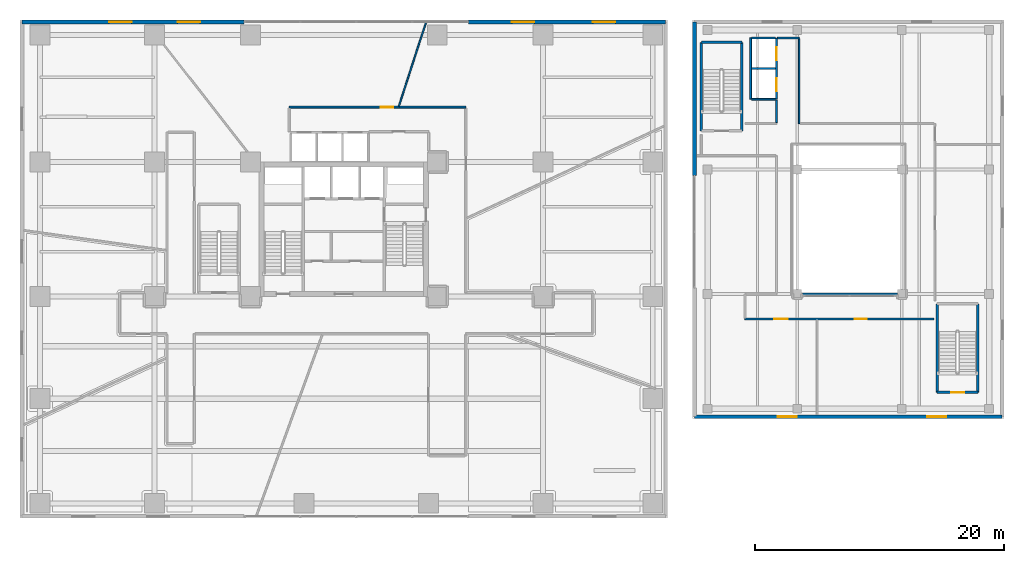
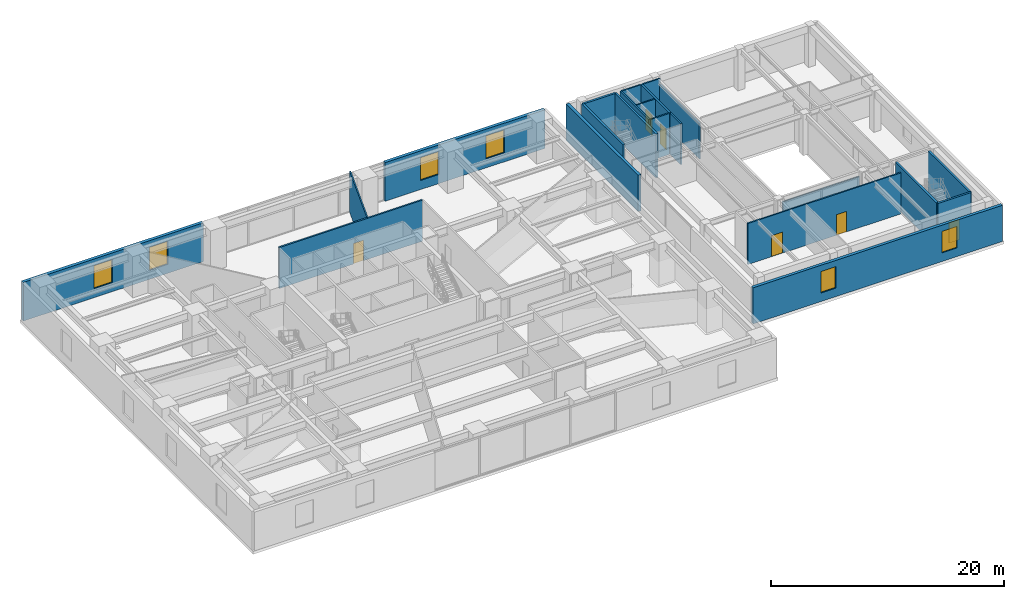
# One storey, part 20 of 25: 22 walls, 6 doors, 6 windows, 12 openings.
"""IFC4 building model written with IfcOpenShell, lengths in metres."""

from ifc_helpers import new_model, si_unit, direction, frame, frame_2d, origin, place, context, subcontext, project, spatial, rectangle, extrude, source, transform, mapped, material, layer, layer_set, type_object, type_shapes, element, fill, save


model = new_model("IFC4")

# Units and contexts
model_context = context("Model", 3, precision=1e-05, world=origin(), true_north=direction((0.0, 1.0)))
body_context = subcontext(model_context, "Body", "Model", "MODEL_VIEW")
ifc_project = project(units=[si_unit("LENGTHUNIT", "METRE"), si_unit("AREAUNIT", "SQUARE_METRE"), si_unit("VOLUMEUNIT", "CUBIC_METRE"), si_unit("PLANEANGLEUNIT", "RADIAN"), si_unit("MASSUNIT", "GRAM", prefix="KILO")], contexts=[model_context])

# Site, building, storey
site_placement = place(None, origin())
site = spatial("IfcSite", under=ifc_project, at=site_placement, CompositionType="ELEMENT")
building_placement = place(site_placement, origin())
building = spatial("IfcBuilding", under=site, at=building_placement, Name="Talar Marvaseh", CompositionType="ELEMENT")
storey_placement = place(building_placement, frame((0.0, 0.0, 5.199951171875)))
storey = spatial("IfcBuildingStorey", under=building, at=storey_placement, Name="L01", CompositionType="ELEMENT", Elevation=5.199951171875)

# Wall, openings, windows
ifc_material_1 = material(Name="Precast concrete C45/55", Category="concrete")
ifc_layer_1 = layer(ifc_material_1, 0.31005859375)
ifc_layer_set_1 = layer_set([ifc_layer_1], Name="Precast concrete C45/55")
wall_type_1 = type_object("IfcWallType", Name="Architectural Precast Limestone Podium Facade Wall 310", PredefinedType="SOLIDWALL", material=ifc_layer_set_1)
wall_1_placement = place(storey_placement, frame((0.159912109375, 47.840087890625, 0.0), z_axis=(0.0, 0.0, 1.0), x_axis=(1.0, 0.0, 0.0)))
wall_1 = element("IfcWall", 1, at=wall_1_placement, inside=storey, type_object=wall_type_1, Name="L01 Podium North-West Facade Wall", PredefinedType="SOLIDWALL", context=body_context, shape_type="SweptSolid", body=[
    extrude(rectangle(XDim=17.840087890625, YDim=0.31005859375, at=frame_2d((8.919921875, 0.0))), origin(), (0.0, 0.0, 1.0), 4.050048828125),
])
opening_1_placement = place(wall_1_placement, frame((7.0, 0.0, 0.949951171875)))
opening_1 = element("IfcOpeningElement", 2, at=opening_1_placement, cuts=wall_1, Name="Opening WN-POD18", PredefinedType="OPENING", context=body_context, shape_type="SweptSolid", body=[
    extrude(rectangle(XDim=1.800048828125, YDim=2.39990234375, at=frame_2d((0.89990234375, 1.199951171875))), frame((0.0, 0.1650390625, 0.0), z_axis=(0.0, -1.0, 0.0), x_axis=(1.0, 0.0, 0.0)), (0.0, 0.0, 1.0), 0.330078125),
])
opening_2_placement = place(wall_1_placement, frame((12.5, 0.0, 0.949951171875)))
opening_2 = element("IfcOpeningElement", 3, at=opening_2_placement, cuts=wall_1, Name="Opening WN-POD18", PredefinedType="OPENING", context=body_context, shape_type="SweptSolid", body=[
    extrude(rectangle(XDim=1.800048828125, YDim=2.39990234375, at=frame_2d((0.89990234375, 1.199951171875))), frame((0.0, 0.1650390625, 0.0), z_axis=(0.0, -1.0, 0.0), x_axis=(1.0, 0.0, 0.0)), (0.0, 0.0, 1.0), 0.330078125),
])
ifc_material_2 = material(Name="Laminated Low-E Solar Glass", Category="glass")
window_type_1 = type_object("IfcWindowType", Name="Podium Recessed Punched Solar Window 1800x2400", PartitioningType="SINGLE_PANEL", PredefinedType="WINDOW", material=ifc_material_2)
shared_shape_1 = source(origin(), body_context, "Body", "SweptSolid", [
    extrude(rectangle(XDim=1.800048828125, YDim=2.39990234375, at=frame_2d((0.89990234375, 1.199951171875))), frame((0.0, 0.030029296875, 0.0), z_axis=(0.0, -1.0, 0.0), x_axis=(1.0, 0.0, 0.0)), (0.0, 0.0, 1.0), 0.06005859375),
])
type_shapes(window_type_1, [shared_shape_1])
window_1_placement = place(opening_1_placement, origin())
window_1 = element("IfcWindow", 4, at=window_1_placement, inside=storey, type_object=window_type_1, Name="L01 Podium Solar Window", OverallHeight=2.39990234375, OverallWidth=1.800048828125, PartitioningType="SINGLE_PANEL", PredefinedType="WINDOW", context=body_context, shape_type="MappedRepresentation", body=[
    mapped(shared_shape_1, transform((0.0, 0.0, 0.0), x_axis=(1.0, 0.0, 0.0), y_axis=(0.0, 1.0, 0.0), z_axis=(0.0, 0.0, 1.0), scale=1.0)),
])
fill(opening_1, window_1)
window_2_placement = place(opening_2_placement, origin())
window_2 = element("IfcWindow", 5, at=window_2_placement, inside=storey, type_object=window_type_1, Name="L01 Podium Solar Window", OverallHeight=2.39990234375, OverallWidth=1.800048828125, PartitioningType="SINGLE_PANEL", PredefinedType="WINDOW", context=body_context, shape_type="MappedRepresentation", body=[
    mapped(shared_shape_1, transform((0.0, 0.0, 0.0), x_axis=(1.0, 0.0, 0.0), y_axis=(0.0, 1.0, 0.0), z_axis=(0.0, 0.0, 1.0), scale=1.0)),
])
fill(opening_2, window_2)

wall_2_placement = place(storey_placement, frame((36.0, 47.840087890625, 0.0), z_axis=(0.0, 0.0, 1.0), x_axis=(1.0, 0.0, 0.0)))
wall_2 = element("IfcWall", 6, at=wall_2_placement, inside=storey, type_object=wall_type_1, Name="L01 Podium North-East Facade Wall", PredefinedType="SOLIDWALL", context=body_context, shape_type="SweptSolid", body=[
    extrude(rectangle(XDim=15.840087890625, YDim=0.31005859375, at=frame_2d((7.919921875, 0.0))), origin(), (0.0, 0.0, 1.0), 4.050048828125),
])
opening_3_placement = place(wall_2_placement, frame((3.5, 0.0, 0.949951171875)))
opening_3 = element("IfcOpeningElement", 7, at=opening_3_placement, cuts=wall_2, Name="Opening WN-POD18", PredefinedType="OPENING", context=body_context, shape_type="SweptSolid", body=[
    extrude(rectangle(XDim=1.800048828125, YDim=2.39990234375, at=frame_2d((0.89990234375, 1.199951171875))), frame((0.0, 0.1650390625, 0.0), z_axis=(0.0, -1.0, 0.0), x_axis=(1.0, 0.0, 0.0)), (0.0, 0.0, 1.0), 0.330078125),
])
opening_4_placement = place(wall_2_placement, frame((10.0, 0.0, 0.949951171875)))
opening_4 = element("IfcOpeningElement", 8, at=opening_4_placement, cuts=wall_2, Name="Opening WN-POD18", PredefinedType="OPENING", context=body_context, shape_type="SweptSolid", body=[
    extrude(rectangle(XDim=1.800048828125, YDim=2.39990234375, at=frame_2d((0.89990234375, 1.199951171875))), frame((0.0, 0.1650390625, 0.0), z_axis=(0.0, -1.0, 0.0), x_axis=(1.0, 0.0, 0.0)), (0.0, 0.0, 1.0), 0.330078125),
])
window_3_placement = place(opening_3_placement, origin())
window_3 = element("IfcWindow", 9, at=window_3_placement, inside=storey, type_object=window_type_1, Name="L01 Podium Solar Window", OverallHeight=2.39990234375, OverallWidth=1.800048828125, PartitioningType="SINGLE_PANEL", PredefinedType="WINDOW", context=body_context, shape_type="MappedRepresentation", body=[
    mapped(shared_shape_1, transform((0.0, 0.0, 0.0), x_axis=(1.0, 0.0, 0.0), y_axis=(0.0, 1.0, 0.0), z_axis=(0.0, 0.0, 1.0), scale=1.0)),
])
fill(opening_3, window_3)
window_4_placement = place(opening_4_placement, origin())
window_4 = element("IfcWindow", 10, at=window_4_placement, inside=storey, type_object=window_type_1, Name="L01 Podium Solar Window", OverallHeight=2.39990234375, OverallWidth=1.800048828125, PartitioningType="SINGLE_PANEL", PredefinedType="WINDOW", context=body_context, shape_type="MappedRepresentation", body=[
    mapped(shared_shape_1, transform((0.0, 0.0, 0.0), x_axis=(1.0, 0.0, 0.0), y_axis=(0.0, 1.0, 0.0), z_axis=(0.0, 0.0, 1.0), scale=1.0)),
])
fill(opening_4, window_4)

# Wall, opening, door
ifc_material_3 = material(Name="Gypsum Board Partition Assembly")
ifc_layer_2 = layer(ifc_material_3, 0.155029296875)
ifc_layer_set_2 = layer_set([ifc_layer_2], Name="Gypsum Board Partition Assembly")
wall_type_2 = type_object("IfcWallType", Name="Corridor Fire-Rated Acoustic Partition 155", PredefinedType="PARTITIONING", material=ifc_layer_set_2)
wall_3_placement = place(storey_placement, frame((21.60009765625, 41.0, 0.0), z_axis=(0.0, 0.0, 1.0), x_axis=(1.0, 0.0, 0.0)))
wall_3 = element("IfcWall", 11, at=wall_3_placement, inside=storey, type_object=wall_type_2, Name="L01 Interior Partition Wall", PredefinedType="PARTITIONING", context=body_context, shape_type="SweptSolid", body=[
    extrude(rectangle(XDim=14.199951171875, YDim=0.155029296875, at=frame_2d((7.10009765625, 0.0))), origin(), (0.0, 0.0, 1.0), 4.300048828125),
])
opening_5_placement = place(wall_3_placement, frame((7.361572265625, 0.0, 0.0)))
opening_5 = element("IfcOpeningElement", 12, at=opening_5_placement, cuts=wall_3, Name="Opening DR-RM100", PredefinedType="OPENING", context=body_context, shape_type="SweptSolid", body=[
    extrude(rectangle(XDim=1.0, YDim=2.14990234375, at=frame_2d((0.5, 1.074951171875))), frame((0.0, 0.08740234375, 0.0), z_axis=(0.0, -1.0, 0.0), x_axis=(1.0, 0.0, 0.0)), (0.0, 0.0, 1.0), 0.175048828125),
])
ifc_material_4 = material(Name="Acoustic Engineered Oak Timber", Category="wood")
door_type_1 = type_object("IfcDoorType", Name="Corridor Fire-Rated Gallery Door 1000x2150", OperationType="NOTDEFINED", PredefinedType="DOOR", material=ifc_material_4)
shared_shape_2 = source(origin(), body_context, "Body", "SweptSolid", [
    extrude(rectangle(XDim=1.0, YDim=2.14990234375, at=frame_2d((0.5, 1.074951171875))), frame((0.0, 0.02490234375, 0.0), z_axis=(0.0, -1.0, 0.0), x_axis=(1.0, 0.0, 0.0)), (0.0, 0.0, 1.0), 0.050048828125),
])
type_shapes(door_type_1, [shared_shape_2])
door_1_placement = place(opening_5_placement, origin())
door_1 = element("IfcDoor", 13, at=door_1_placement, inside=storey, type_object=door_type_1, Name="L01 Education Workshop Studio Door", OperationType="SINGLE_SWING_RIGHT", OverallHeight=2.14990234375, OverallWidth=1.0, PredefinedType="DOOR", context=body_context, shape_type="MappedRepresentation", body=[
    mapped(shared_shape_2, transform((0.0, 0.0, 0.0), x_axis=(1.0, 0.0, 0.0), y_axis=(0.0, 1.0, 0.0), z_axis=(0.0, 0.0, 1.0), scale=1.0)),
])
fill(opening_5, door_1)

# Walls
ifc_layer_3 = layer(ifc_material_3, 0.1201171875)
ifc_layer_set_3 = layer_set([ifc_layer_3], Name="Gypsum Board Partition Assembly")
wall_type_3 = type_object("IfcWallType", Name="Demountable Studio Room Partition 120", PredefinedType="PARTITIONING", material=ifc_layer_set_3)
wall_4_placement = place(storey_placement, frame((30.41015625, 41.061767578125, 0.0), z_axis=(0.0, 0.0, 1.0), x_axis=(0.308512265312, 0.951220364664, 0.0)))
element("IfcWall", 14, at=wall_4_placement, inside=storey, type_object=wall_type_3, Name="L01 Interior Partition Wall", PredefinedType="PARTITIONING", context=body_context, shape_type="SweptSolid", body=[
    extrude(rectangle(XDim=7.100830078125, YDim=0.1201171875, at=frame_2d((3.55029296875, 0.0))), origin(), (0.0, 0.0, 1.0), 4.300048828125),
])
ifc_layer_4 = layer(ifc_material_1, 0.14501953125)
ifc_layer_set_4 = layer_set([ifc_layer_4], Name="Precast concrete C45/55")
wall_type_4 = type_object("IfcWallType", Name="Fire-Rated Lift Divider Wall 145", PredefinedType="SOLIDWALL", material=ifc_layer_set_4)
wall_5_placement = place(storey_placement, frame((58.659912109375, 41.639892578125, 0.0), z_axis=(0.0, 0.0, 1.0), x_axis=(0.0, 1.0, 0.0)))
element("IfcWall", 15, at=wall_5_placement, inside=storey, type_object=wall_type_4, Name="L01 Market Lift Back Wall", PredefinedType="SOLIDWALL", context=body_context, shape_type="SweptSolid", body=[
    extrude(rectangle(XDim=4.920166015625, YDim=0.14501953125, at=frame_2d((2.4599609375, 0.0))), origin(), (0.0, 0.0, 1.0), 4.300048828125),
])
wall_6_placement = place(storey_placement, frame((58.738525390625, 44.10009765625, 0.0), z_axis=(0.0, 0.0, 1.0), x_axis=(1.0, 0.0, 0.0)))
element("IfcWall", 16, at=wall_6_placement, inside=storey, type_object=wall_type_4, Name="L01 Market Lift Divider", PredefinedType="SOLIDWALL", context=body_context, shape_type="SweptSolid", body=[
    extrude(rectangle(XDim=1.907958984375, YDim=0.14501953125, at=frame_2d((0.9541015625, 0.0))), origin(), (0.0, 0.0, 1.0), 4.300048828125),
])
for number, where, z_axis, x_axis, name in (
    (17, (58.739990234375, 41.639892578125, 0.0), (0.0, 0.0, 1.0), (1.0, 0.0, 0.0), "L01 Market Lift South End Wall"),
    (18, (58.739990234375, 46.56005859375, 0.0), (0.0, 0.0, 1.0), (1.0, 0.0, 0.0), "L01 Market Lift North End Wall"),
):
    element("IfcWall", number, at=place(storey_placement, frame(where, z_axis=z_axis, x_axis=x_axis)), inside=storey, type_object=wall_type_4, Name=name, PredefinedType="SOLIDWALL", context=body_context, shape_type="SweptSolid", body=[
        extrude(rectangle(XDim=1.909912109375, YDim=0.14501953125, at=frame_2d((0.955078125, 0.0))), origin(), (0.0, 0.0, 1.0), 4.300048828125),
    ])

# Wall, openings, doors
ifc_layer_5 = layer(ifc_material_1, 0.175048828125)
ifc_layer_set_5 = layer_set([ifc_layer_5], Name="Precast concrete C45/55")
wall_type_5 = type_object("IfcWallType", Name="Fire-Rated Lift Hoistway Enclosure Wall 175", PredefinedType="SOLIDWALL", material=ifc_layer_set_5)
wall_7_placement = place(storey_placement, frame((60.739990234375, 41.639892578125, 0.0), z_axis=(0.0, 0.0, 1.0), x_axis=(0.0, 1.0, 0.0)))
wall_7 = element("IfcWall", 19, at=wall_7_placement, inside=storey, type_object=wall_type_5, Name="L01 Market Lift Bank Front Wall", PredefinedType="SOLIDWALL", context=body_context, shape_type="SweptSolid", body=[
    extrude(rectangle(XDim=4.920166015625, YDim=0.175048828125, at=frame_2d((2.4599609375, 0.0))), origin(), (0.0, 0.0, 1.0), 4.300048828125),
])
opening_6_placement = place(wall_7_placement, frame((0.64990234375, 0.0, 0.0)))
opening_6 = element("IfcOpeningElement", 20, at=opening_6_placement, cuts=wall_7, Name="Opening LD-MHE1", PredefinedType="OPENING", context=body_context, shape_type="SweptSolid", body=[
    extrude(rectangle(XDim=1.050048828125, YDim=2.14990234375, at=frame_2d((0.52490234375, 1.074951171875))), frame((0.0, 0.09765625, 0.0), z_axis=(0.0, -1.0, 0.0), x_axis=(1.0, 0.0, 0.0)), (0.0, 0.0, 1.0), 0.195068359375),
])
opening_7_placement = place(wall_7_placement, frame((3.1201171875, 0.0, 0.0)))
opening_7 = element("IfcOpeningElement", 21, at=opening_7_placement, cuts=wall_7, Name="Opening LD-MHE2", PredefinedType="OPENING", context=body_context, shape_type="SweptSolid", body=[
    extrude(rectangle(XDim=1.050048828125, YDim=2.14990234375, at=frame_2d((0.52490234375, 1.074951171875))), frame((0.0, 0.09765625, 0.0), z_axis=(0.0, -1.0, 0.0), x_axis=(1.0, 0.0, 0.0)), (0.0, 0.0, 1.0), 0.195068359375),
])
ifc_material_5 = material(Name="Stainless Steel Grade 316", Category="steel")
door_type_2 = type_object("IfcDoorType", Name="Automatic Sliding Lift Landing Door 1050x2150", OperationType="NOTDEFINED", PredefinedType="DOOR", material=ifc_material_5)
shared_shape_3 = source(origin(), body_context, "Body", "SweptSolid", [
    extrude(rectangle(XDim=1.050048828125, YDim=2.14990234375, at=frame_2d((0.52490234375, 1.074951171875))), frame((0.0, 0.02490234375, 0.0), z_axis=(0.0, -1.0, 0.0), x_axis=(1.0, 0.0, 0.0)), (0.0, 0.0, 1.0), 0.050048828125),
])
type_shapes(door_type_2, [shared_shape_3])
door_2_placement = place(opening_6_placement, origin())
door_2 = element("IfcDoor", 22, at=door_2_placement, inside=storey, type_object=door_type_2, Name="L01 Lift MH-EL2 Sliding Landing Door", OperationType="SLIDING_TO_LEFT", OverallHeight=2.14990234375, OverallWidth=1.050048828125, PredefinedType="DOOR", context=body_context, shape_type="MappedRepresentation", body=[
    mapped(shared_shape_3, transform((0.0, 0.0, 0.0), x_axis=(1.0, 0.0, 0.0), y_axis=(0.0, 1.0, 0.0), z_axis=(0.0, 0.0, 1.0), scale=1.0)),
])
fill(opening_6, door_2)
door_3_placement = place(opening_7_placement, origin())
door_3 = element("IfcDoor", 23, at=door_3_placement, inside=storey, type_object=door_type_2, Name="L01 Lift MH-EL1 Sliding Landing Door", OperationType="SLIDING_TO_LEFT", OverallHeight=2.14990234375, OverallWidth=1.050048828125, PredefinedType="DOOR", context=body_context, shape_type="MappedRepresentation", body=[
    mapped(shared_shape_3, transform((0.0, 0.0, 0.0), x_axis=(1.0, 0.0, 0.0), y_axis=(0.0, 1.0, 0.0), z_axis=(0.0, 0.0, 1.0), scale=1.0)),
])
fill(opening_7, door_3)

ifc_layer_6 = layer(ifc_material_3, 0.135009765625)
ifc_layer_set_6 = layer_set([ifc_layer_6], Name="Gypsum Board Partition Assembly")
wall_type_6 = type_object("IfcWallType", Name="Gallery High-Acoustic Partition 135", PredefinedType="PARTITIONING", material=ifc_layer_set_6)
wall_8_placement = place(storey_placement, frame((73.3798828125, 24.0, 0.0), z_axis=(0.0, 0.0, 1.0), x_axis=(-1.0, 0.0, 0.0)))
wall_8 = element("IfcWall", 24, at=wall_8_placement, inside=storey, type_object=wall_type_6, Name="L01 Interior Partition Wall", PredefinedType="PARTITIONING", context=body_context, shape_type="SweptSolid", body=[
    extrude(rectangle(XDim=15.179931640625, YDim=0.135009765625, at=frame_2d((7.58984375, 0.0))), origin(), (0.0, 0.0, 1.0), 4.300048828125),
])
opening_8_placement = place(wall_8_placement, frame((11.72998046875, 0.0, 0.0)))
opening_8 = element("IfcOpeningElement", 25, at=opening_8_placement, cuts=wall_8, Name="Opening DR-RM110", PredefinedType="OPENING", context=body_context, shape_type="SweptSolid", body=[
    extrude(rectangle(XDim=1.10009765625, YDim=2.199951171875, at=frame_2d((0.550048828125, 1.10009765625))), frame((0.0, 0.07763671875, 0.0), z_axis=(0.0, -1.0, 0.0), x_axis=(1.0, 0.0, 0.0)), (0.0, 0.0, 1.0), 0.155029296875),
])
opening_9_placement = place(wall_8_placement, frame((5.3798828125, 0.0, 0.0)))
opening_9 = element("IfcOpeningElement", 26, at=opening_9_placement, cuts=wall_8, Name="Opening DR-RM100", PredefinedType="OPENING", context=body_context, shape_type="SweptSolid", body=[
    extrude(rectangle(XDim=1.0, YDim=2.14990234375, at=frame_2d((0.5, 1.074951171875))), frame((0.0, 0.07763671875, 0.0), z_axis=(0.0, -1.0, 0.0), x_axis=(1.0, 0.0, 0.0)), (0.0, 0.0, 1.0), 0.155029296875),
])
door_4_placement = place(opening_9_placement, origin())
door_4 = element("IfcDoor", 27, at=door_4_placement, inside=storey, type_object=door_type_1, Name="L01 Handicraft Copper Workshop Door", OperationType="SINGLE_SWING_RIGHT", OverallHeight=2.14990234375, OverallWidth=1.0, PredefinedType="DOOR", context=body_context, shape_type="MappedRepresentation", body=[
    mapped(shared_shape_2, transform((0.0, 0.0, 0.0), x_axis=(1.0, 0.0, 0.0), y_axis=(0.0, 1.0, 0.0), z_axis=(0.0, 0.0, 1.0), scale=1.0)),
])
fill(opening_9, door_4)
door_type_3 = type_object("IfcDoorType", Name="Assembly and Reading Hall Door 1100x2200", OperationType="NOTDEFINED", PredefinedType="DOOR", material=ifc_material_4)
shared_shape_4 = source(origin(), body_context, "Body", "SweptSolid", [
    extrude(rectangle(XDim=1.10009765625, YDim=2.199951171875, at=frame_2d((0.550048828125, 1.10009765625))), frame((0.0, 0.02490234375, 0.0), z_axis=(0.0, -1.0, 0.0), x_axis=(1.0, 0.0, 0.0)), (0.0, 0.0, 1.0), 0.050048828125),
])
type_shapes(door_type_3, [shared_shape_4])
door_5_placement = place(opening_8_placement, origin())
door_5 = element("IfcDoor", 28, at=door_5_placement, inside=storey, type_object=door_type_3, Name="L01 Textiles and Silk Market Gallery Door", OperationType="SINGLE_SWING_LEFT", OverallHeight=2.199951171875, OverallWidth=1.10009765625, PredefinedType="DOOR", context=body_context, shape_type="MappedRepresentation", body=[
    mapped(shared_shape_4, transform((0.0, 0.0, 0.0), x_axis=(1.0, 0.0, 0.0), y_axis=(0.0, 1.0, 0.0), z_axis=(0.0, 0.0, 1.0), scale=1.0)),
])
fill(opening_8, door_5)

# Walls
wall_9_placement = place(storey_placement, frame((60.739990234375, 39.75341796875, 0.0), z_axis=(0.0, 0.0, 1.0), x_axis=(0.0, 1.0, 0.0)))
element("IfcWall", 29, at=wall_9_placement, inside=storey, type_object=wall_type_6, Name="L01 Interior Partition Wall", PredefinedType="PARTITIONING", context=body_context, shape_type="SweptSolid", body=[
    extrude(rectangle(XDim=1.836669921875, YDim=0.135009765625, at=frame_2d((0.91845703125, 0.0))), origin(), (0.0, 0.0, 1.0), 4.300048828125),
])
wall_10_placement = place(storey_placement, frame((60.80908203125, 46.550048828125, 0.0), z_axis=(0.0, 0.0, 1.0), x_axis=(1.0, 0.0, 0.0)))
element("IfcWall", 30, at=wall_10_placement, inside=storey, type_object=wall_type_6, Name="L01 Interior Partition Wall", PredefinedType="PARTITIONING", context=body_context, shape_type="SweptSolid", body=[
    extrude(rectangle(XDim=1.740966796875, YDim=0.135009765625, at=frame_2d((0.87060546875, 0.0))), origin(), (0.0, 0.0, 1.0), 4.300048828125),
])
wall_11_placement = place(storey_placement, frame((62.550048828125, 46.4765625, 0.0), z_axis=(0.0, 0.0, 1.0), x_axis=(0.0, -1.0, 0.0)))
element("IfcWall", 31, at=wall_11_placement, inside=storey, type_object=wall_type_6, Name="L01 Interior Partition Wall", PredefinedType="PARTITIONING", context=body_context, shape_type="SweptSolid", body=[
    extrude(rectangle(XDim=6.796630859375, YDim=0.135009765625, at=frame_2d((3.3984375, 0.0))), origin(), (0.0, 0.0, 1.0), 3.73095703125),
])
wall_12_placement = place(storey_placement, frame((62.83837890625, 26.0, 0.0), z_axis=(0.0, 0.0, 1.0), x_axis=(1.0, 0.0, 0.0)))
element("IfcWall", 32, at=wall_12_placement, inside=storey, type_object=wall_type_6, Name="L01 Interior Partition Wall", PredefinedType="PARTITIONING", context=body_context, shape_type="SweptSolid", body=[
    extrude(rectangle(XDim=7.5966796875, YDim=0.135009765625, at=frame_2d((3.79833984375, 0.0))), origin(), (0.0, 0.0, 1.0), 3.73095703125),
])

# Wall, openings, windows
ifc_layer_7 = layer(ifc_material_1, 0.2900390625)
ifc_layer_set_7 = layer_set([ifc_layer_7], Name="Precast concrete C45/55")
wall_type_7 = type_object("IfcWallType", Name="Market Hall Precast Limestone Bazaar Wall 290", PredefinedType="SOLIDWALL", material=ifc_layer_set_7)
wall_13_placement = place(storey_placement, frame((78.85009765625, 16.14990234375, 0.0), z_axis=(0.0, 0.0, 1.0), x_axis=(-1.0, 0.0, 0.0)))
wall_13 = element("IfcWall", 33, at=wall_13_placement, inside=storey, type_object=wall_type_7, Name="L01 Market Hall South Forecourt Wall", PredefinedType="SOLIDWALL", context=body_context, shape_type="SweptSolid", body=[
    extrude(rectangle(XDim=24.7001953125, YDim=0.2900390625, at=frame_2d((12.35009765625, 0.0))), origin(), (0.0, 0.0, 1.0), 3.800048828125),
])
opening_10_placement = place(wall_13_placement, frame((4.5, 0.0, 0.89990234375)))
opening_10 = element("IfcOpeningElement", 34, at=opening_10_placement, cuts=wall_13, Name="Opening WN-MKT15", PredefinedType="OPENING", context=body_context, shape_type="SweptSolid", body=[
    extrude(rectangle(XDim=1.5, YDim=2.25, at=frame_2d((0.75, 1.125))), frame((0.0, 0.155029296875, 0.0), z_axis=(0.0, -1.0, 0.0), x_axis=(1.0, 0.0, 0.0)), (0.0, 0.0, 1.0), 0.31005859375),
])
opening_11_placement = place(wall_13_placement, frame((16.5, 0.0, 0.89990234375)))
opening_11 = element("IfcOpeningElement", 35, at=opening_11_placement, cuts=wall_13, Name="Opening WN-MKT15", PredefinedType="OPENING", context=body_context, shape_type="SweptSolid", body=[
    extrude(rectangle(XDim=1.5, YDim=2.25, at=frame_2d((0.75, 1.125))), frame((0.0, 0.155029296875, 0.0), z_axis=(0.0, -1.0, 0.0), x_axis=(1.0, 0.0, 0.0)), (0.0, 0.0, 1.0), 0.31005859375),
])
window_type_2 = type_object("IfcWindowType", Name="Market Hall Bazaar Punched Window 1500x2250", PartitioningType="SINGLE_PANEL", PredefinedType="WINDOW", material=ifc_material_2)
shared_shape_5 = source(origin(), body_context, "Body", "SweptSolid", [
    extrude(rectangle(XDim=1.5, YDim=2.25, at=frame_2d((0.75, 1.125))), frame((0.0, 0.030029296875, 0.0), z_axis=(0.0, -1.0, 0.0), x_axis=(1.0, 0.0, 0.0)), (0.0, 0.0, 1.0), 0.06005859375),
])
type_shapes(window_type_2, [shared_shape_5])
window_5_placement = place(opening_10_placement, origin())
window_5 = element("IfcWindow", 36, at=window_5_placement, inside=storey, type_object=window_type_2, Name="L01 Market Bazaar Window", OverallHeight=2.25, OverallWidth=1.5, PartitioningType="SINGLE_PANEL", PredefinedType="WINDOW", context=body_context, shape_type="MappedRepresentation", body=[
    mapped(shared_shape_5, transform((0.0, 0.0, 0.0), x_axis=(1.0, 0.0, 0.0), y_axis=(0.0, 1.0, 0.0), z_axis=(0.0, 0.0, 1.0), scale=1.0)),
])
fill(opening_10, window_5)
window_6_placement = place(opening_11_placement, origin())
window_6 = element("IfcWindow", 37, at=window_6_placement, inside=storey, type_object=window_type_2, Name="L01 Market Bazaar Window", OverallHeight=2.25, OverallWidth=1.5, PartitioningType="SINGLE_PANEL", PredefinedType="WINDOW", context=body_context, shape_type="MappedRepresentation", body=[
    mapped(shared_shape_5, transform((0.0, 0.0, 0.0), x_axis=(1.0, 0.0, 0.0), y_axis=(0.0, 1.0, 0.0), z_axis=(0.0, 0.0, 1.0), scale=1.0)),
])
fill(opening_11, window_6)

# Walls
wall_14_placement = place(storey_placement, frame((54.14990234375, 35.5, 0.0), z_axis=(0.0, 0.0, 1.0), x_axis=(0.0, 1.0, 0.0)))
element("IfcWall", 38, at=wall_14_placement, inside=storey, type_object=wall_type_7, Name="L01 Market Hall West-North Wall", PredefinedType="SOLIDWALL", context=body_context, shape_type="SweptSolid", body=[
    extrude(rectangle(XDim=12.35009765625, YDim=0.2900390625, at=frame_2d((6.175048828125, 0.0))), origin(), (0.0, 0.0, 1.0), 3.800048828125),
])
ifc_material_6 = material(Name="Concrete C50/60", Category="concrete")
ifc_layer_8 = layer(ifc_material_6, 0.199951171875)
ifc_layer_set_8 = layer_set([ifc_layer_8], Name="Concrete C50/60")
wall_type_8 = type_object("IfcWallType", Name="Stair Shaft Structural Concrete Shear Wall 200", PredefinedType="SHEAR", material=ifc_layer_set_8)
wall_15_placement = place(storey_placement, frame((54.699951171875, 46.199951171875, 0.0), z_axis=(0.0, 0.0, 1.0), x_axis=(1.0, 0.0, 0.0)))
element("IfcWall", 39, at=wall_15_placement, inside=storey, type_object=wall_type_8, Name="L01 MH-ST1 North Shear Wall", PredefinedType="SHEAR", context=body_context, shape_type="SweptSolid", body=[
    extrude(rectangle(XDim=3.260009765625, YDim=0.199951171875, at=frame_2d((1.6298828125, 0.0))), origin(), (0.0, 0.0, 1.0), 4.60009765625),
])
for number, where, z_axis, x_axis, name in (
    (40, (54.699951171875, 39.10009765625, 0.0), (0.0, 0.0, 1.0), (0.0, 1.0, 0.0), "L01 MH-ST1 West Shear Wall"),
    (41, (57.9599609375, 39.10009765625, 0.0), (0.0, 0.0, 1.0), (0.0, 1.0, 0.0), "L01 MH-ST1 East Shear Wall"),
):
    element("IfcWall", number, at=place(storey_placement, frame(where, z_axis=z_axis, x_axis=x_axis)), inside=storey, type_object=wall_type_8, Name=name, PredefinedType="SHEAR", context=body_context, shape_type="SweptSolid", body=[
        extrude(rectangle(XDim=7.099853515625, YDim=0.199951171875, at=frame_2d((3.5498046875, 0.0))), origin(), (0.0, 0.0, 1.0), 4.60009765625),
    ])

# Wall, opening, door
wall_16_placement = place(storey_placement, frame((76.89990234375, 18.10009765625, 0.0), z_axis=(0.0, 0.0, 1.0), x_axis=(-1.0, 0.0, 0.0)))
wall_16 = element("IfcWall", 42, at=wall_16_placement, inside=storey, type_object=wall_type_8, Name="L01 MH-ST2 South Shear Wall", PredefinedType="SHEAR", context=body_context, shape_type="SweptSolid", body=[
    extrude(rectangle(XDim=3.260009765625, YDim=0.199951171875, at=frame_2d((1.6298828125, 0.0))), origin(), (0.0, 0.0, 1.0), 4.60009765625),
])
opening_12_placement = place(wall_16_placement, frame((1.10009765625, 0.0, 0.0)))
opening_12 = element("IfcOpeningElement", 43, at=opening_12_placement, cuts=wall_16, Name="Opening DR-ST105", PredefinedType="OPENING", context=body_context, shape_type="SweptSolid", body=[
    extrude(rectangle(XDim=1.050048828125, YDim=2.14990234375, at=frame_2d((0.52490234375, 1.074951171875))), frame((0.0, 0.10986328125, 0.0), z_axis=(0.0, -1.0, 0.0), x_axis=(1.0, 0.0, 0.0)), (0.0, 0.0, 1.0), 0.219970703125),
])
ifc_material_7 = material(Name="Fire-Rated Steel Door Leaf", Category="steel")
door_type_4 = type_object("IfcDoorType", Name="Protected Exit Stair Fire Door 1050x2150", OperationType="NOTDEFINED", PredefinedType="DOOR", material=ifc_material_7)
shared_shape_6 = source(origin(), body_context, "Body", "SweptSolid", [
    extrude(rectangle(XDim=1.050048828125, YDim=2.14990234375, at=frame_2d((0.52490234375, 1.074951171875))), frame((0.0, 0.02490234375, 0.0), z_axis=(0.0, -1.0, 0.0), x_axis=(1.0, 0.0, 0.0)), (0.0, 0.0, 1.0), 0.050048828125),
])
type_shapes(door_type_4, [shared_shape_6])
door_6_placement = place(opening_12_placement, origin())
door_6 = element("IfcDoor", 44, at=door_6_placement, inside=storey, type_object=door_type_4, Name="L01 MH-ST2 Exit Door", OperationType="SINGLE_SWING_LEFT", OverallHeight=2.14990234375, OverallWidth=1.050048828125, PredefinedType="DOOR", context=body_context, shape_type="MappedRepresentation", body=[
    mapped(shared_shape_6, transform((0.0, 0.0, 0.0), x_axis=(1.0, 0.0, 0.0), y_axis=(0.0, 1.0, 0.0), z_axis=(0.0, 0.0, 1.0), scale=1.0)),
])
fill(opening_12, door_6)

# Walls
for number, where, z_axis, x_axis, name in (
    (45, (73.639892578125, 18.10009765625, 0.0), (0.0, 0.0, 1.0), (0.0, 1.0, 0.0), "L01 MH-ST2 West Shear Wall"),
    (46, (76.89990234375, 18.10009765625, 0.0), (0.0, 0.0, 1.0), (0.0, 1.0, 0.0), "L01 MH-ST2 East Shear Wall"),
):
    element("IfcWall", number, at=place(storey_placement, frame(where, z_axis=z_axis, x_axis=x_axis)), inside=storey, type_object=wall_type_8, Name=name, PredefinedType="SHEAR", context=body_context, shape_type="SweptSolid", body=[
        extrude(rectangle(XDim=7.099853515625, YDim=0.199951171875, at=frame_2d((3.5498046875, 0.0))), origin(), (0.0, 0.0, 1.0), 4.60009765625),
    ])

save(model, "model.ifc")
